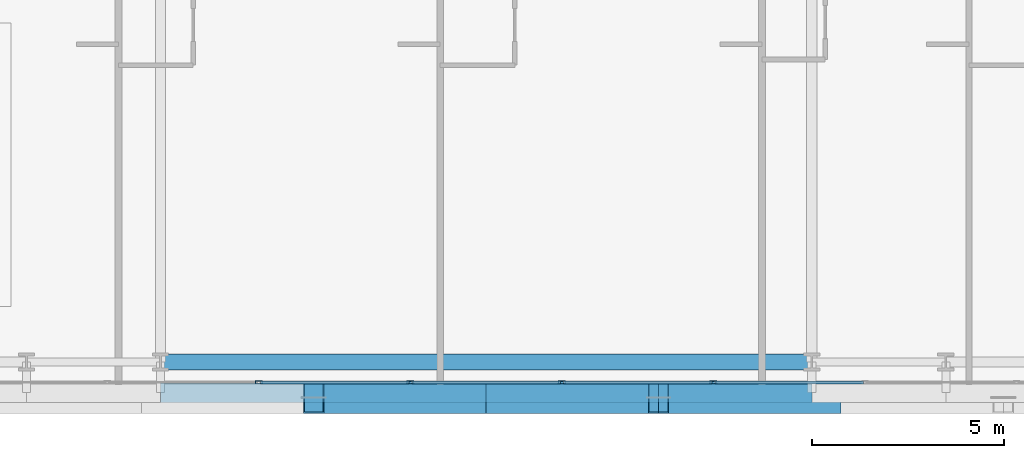
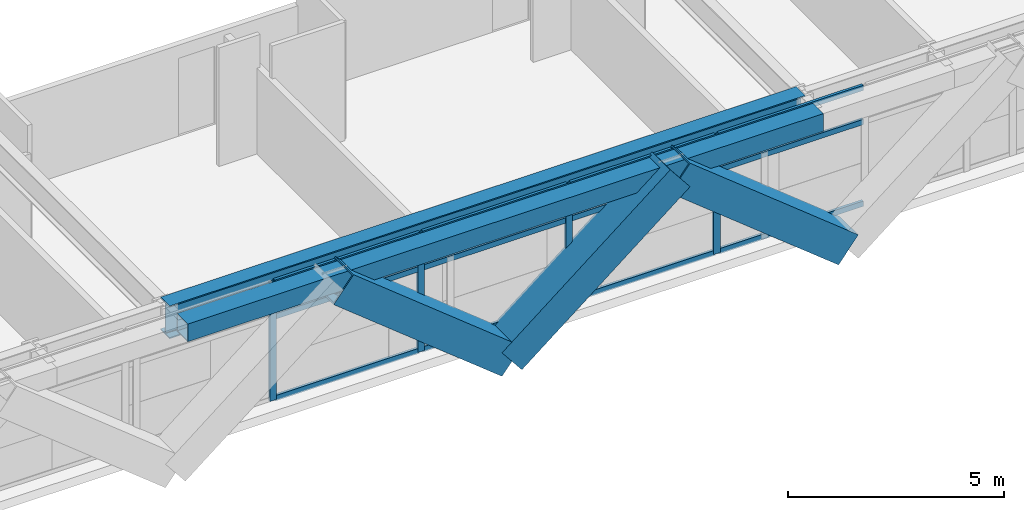
# One storey, part 5 of 35: 19 members, 2 beams, 1 element without a shape of its own.
"""IFC4 building model written with IfcOpenShell, lengths in metres."""

from ifc_helpers import new_model, si_unit, direction, frame, origin, origin_2d, place, context, subcontext, project, spatial, hollow_rectangle, i_section, extrude, source, transform, mapped, material, layer, layer_set, material_profile, profile_set, type_object, element, aggregate, save


model = new_model("IFC4")

# Units and contexts
model_context = context("Model", 3, precision=1e-05, world=origin(), true_north=direction((0.0, 1.0)))
body_context = subcontext(model_context, "Body", "Model", "MODEL_VIEW")
ifc_project = project(units=[si_unit("LENGTHUNIT", "METRE"), si_unit("AREAUNIT", "SQUARE_METRE"), si_unit("VOLUMEUNIT", "CUBIC_METRE"), si_unit("PLANEANGLEUNIT", "RADIAN"), si_unit("MASSUNIT", "GRAM", prefix="KILO")], contexts=[model_context])

# Site, building, storey
site_placement = place(None, origin())
site = spatial("IfcSite", under=ifc_project, at=site_placement, CompositionType="ELEMENT")
building_placement = place(site_placement, origin())
building = spatial("IfcBuilding", under=site, at=building_placement, Name="Ocotamira Hotel", CompositionType="ELEMENT")
storey_placement = place(building_placement, frame((0.0, 0.0, 56.39990234375)))
storey = spatial("IfcBuildingStorey", under=building, at=storey_placement, Name="L13", CompositionType="ELEMENT", Elevation=56.39990234375)

# Beams
ifc_material_1 = material(Name="Steel ASTM A992 Grade 50", Category="steel")
ifc_material_profile_1 = material_profile(ifc_material_1, i_section(OverallWidth=0.41796875, OverallDepth=0.927001953125, WebThickness=0.019287109375, FlangeThickness=0.031982421875, FilletRadius=0.02392578125, at=origin_2d()), Name="W36X231")
ifc_profile_set_1 = profile_set([ifc_material_profile_1], Name="Steel ASTM A992 Grade 50")
beam_type_1 = type_object("IfcBeamType", Name="BM-GIRD-W36X231", PredefinedType="BEAM", material=ifc_profile_set_1)
shared_shape_1 = source(origin(), body_context, "Body", "SweptSolid", [
    extrude(i_section(OverallWidth=0.41796875, OverallDepth=0.927001953125, WebThickness=0.019287109375, FlangeThickness=0.031982421875, FilletRadius=0.02392578125, at=origin_2d()), origin(), (0.0, 0.0, 1.0), 17.0),
])
beam_1_placement = place(storey_placement, frame((23.5, 2.949951171875, 2.88671875), z_axis=(1.0, 0.0, 0.0), x_axis=(0.0, 1.0, 0.0)))
element("IfcBeam", 1, at=beam_1_placement, inside=storey, type_object=beam_type_1, Name="L13 Girder Y2.95 X23.5-40.5", PredefinedType="BEAM", context=body_context, shape_type="MappedRepresentation", body=[
    mapped(shared_shape_1, transform((0.0, 0.0, 0.0), scale=1.0)),
])
ifc_material_2 = material(Name="Steel ASTM A500 Grade C", Category="steel")
ifc_material_profile_2 = material_profile(ifc_material_2, hollow_rectangle(XDim=0.5, YDim=0.5, WallThickness=0.02001953125, at=origin_2d()), Name="HSS500X500X20")
ifc_profile_set_2 = profile_set([ifc_material_profile_2], Name="Steel ASTM A500 Grade C")
beam_type_2 = type_object("IfcBeamType", Name="BM-SPAN-HSS500", PredefinedType="USERDEFINED", material=ifc_profile_set_2)
shared_shape_2 = source(origin(), body_context, "Body", "SweptSolid", [
    extrude(hollow_rectangle(XDim=0.5, YDim=0.5, WallThickness=0.02001953125, at=origin_2d()), origin(), (0.0, 0.0, 1.0), 17.0),
])
beam_2_placement = place(storey_placement, frame((23.5, 2.14990234375, 3.10009765625), z_axis=(1.0, 0.0, 0.0), x_axis=(0.0, 1.0, 0.0)))
element("IfcBeam", 2, at=beam_2_placement, inside=storey, type_object=beam_type_2, Name="L13 Edge Spandrel S X23.5-40.5", ObjectType="SPANDREL", PredefinedType="USERDEFINED", context=body_context, shape_type="MappedRepresentation", body=[
    mapped(shared_shape_2, transform((0.0, 0.0, 0.0), scale=1.0)),
])

# Members
ifc_material_3 = material(Name="Pale-metal coated steel ASTM A913 Grade 65", Category="steel")
ifc_material_profile_3 = material_profile(ifc_material_3, hollow_rectangle(XDim=0.85009765625, YDim=0.85009765625, WallThickness=0.035888671875, at=origin_2d()), Name="BOX850X850X36")
ifc_profile_set_3 = profile_set([ifc_material_profile_3], Name="Pale-metal coated steel ASTM A913 Grade 65")
member_type_1 = type_object("IfcMemberType", Name="MEM-EXO-BOX850", PredefinedType="BRACE", material=ifc_profile_set_3)
shared_shape_3 = source(origin(), body_context, "Body", "SweptSolid", [
    extrude(hollow_rectangle(XDim=0.85009765625, YDim=0.85009765625, WallThickness=0.035888671875, at=origin_2d()), origin(), (0.0, 0.0, 1.0), 5.762939453125),
])
for number, where, z_axis, x_axis, name in (
    (3, (32.0, 2.030029296875, -0.5), (-0.780860543151, 0.0, 0.624705380279), (0.0, -1.0, 0.0), "L13 Exoskeleton Diagrid S1.2"),
    (4, (32.0, 2.030029296875, -0.5), (0.780860543151, 0.0, 0.624705380279), (0.0, 1.0, 0.0), "L13 Exoskeleton Diagrid S2.1"),
    (5, (41.0, 2.030029296875, -0.5), (-0.780860543151, 0.0, 0.624705380279), (0.0, -1.0, 0.0), "L13 Exoskeleton Diagrid S2.2"),
):
    element("IfcMember", number, at=place(storey_placement, frame(where, z_axis=z_axis, x_axis=x_axis)), inside=storey, type_object=member_type_1, Name=name, PredefinedType="BRACE", context=body_context, shape_type="MappedRepresentation", body=[
        mapped(shared_shape_3, transform((0.0, 0.0, 0.0), scale=1.0)),
    ])

# Curtain wall, members
ifc_material_4 = material(Name="Anodised pale-metal aluminium and solar glass", Category="aluminium")
ifc_layer = layer(ifc_material_4, 0.179931640625)
ifc_layer_set = layer_set([ifc_layer], Name="Anodised pale-metal aluminium and solar glass")
curtain_wall_type = type_object("IfcCurtainWallType", Name="CW-SYS2-Z1", PredefinedType="NOTDEFINED", material=ifc_layer_set)
curtain_wall_placement = place(storey_placement, origin())
curtain_wall = element("IfcCurtainWall", 6, at=curtain_wall_placement, inside=storey, type_object=curtain_wall_type, Name="L13 Curtain Wall CW-2 CW-L13-S1", PredefinedType="NOTDEFINED")
ifc_material_5 = material(Name="Anodised pale-metal aluminium 6063-T6", Category="aluminium")
ifc_material_profile_4 = material_profile(ifc_material_5, hollow_rectangle(XDim=0.074951171875, YDim=0.14990234375, WallThickness=0.006103515625, at=origin_2d()), Name="HSS150X75X6")
ifc_profile_set_4 = profile_set([ifc_material_profile_4], Name="Anodised pale-metal aluminium 6063-T6")
member_type_2 = type_object("IfcMemberType", Name="CWT-150X75", PredefinedType="USERDEFINED", material=ifc_profile_set_4)
shared_shape_4 = source(origin(), body_context, "Body", "SweptSolid", [
    extrude(hollow_rectangle(XDim=0.074951171875, YDim=0.14990234375, WallThickness=0.006103515625, at=origin_2d()), origin(), (0.0, 0.0, 1.0), 3.87548828125),
])
member_1_placement = place(storey_placement, frame((26.106689453125, 2.419921875, 0.03759765625), z_axis=(1.0, 0.0, 0.0), x_axis=(0.0, 1.0, 0.0)))
member_1 = element("IfcMember", 7, at=member_1_placement, type_object=member_type_2, Name="CW-2 transom 4.1", ObjectType="TRANSOM", PredefinedType="USERDEFINED", context=body_context, shape_type="MappedRepresentation", body=[
    mapped(shared_shape_4, transform((0.0, 0.0, 0.0), scale=1.0)),
])
member_2_placement = place(storey_placement, frame((26.106689453125, 2.419921875, 2.35009765625), z_axis=(1.0, 0.0, 0.0), x_axis=(0.0, 1.0, 0.0)))
member_2 = element("IfcMember", 8, at=member_2_placement, type_object=member_type_2, Name="CW-2 transom 4.2", ObjectType="TRANSOM", PredefinedType="USERDEFINED", context=body_context, shape_type="MappedRepresentation", body=[
    mapped(shared_shape_4, transform((0.0, 0.0, 0.0), scale=1.0)),
])
member_3_placement = place(storey_placement, frame((26.106689453125, 2.419921875, 3.3125), z_axis=(1.0, 0.0, 0.0), x_axis=(0.0, 1.0, 0.0)))
member_3 = element("IfcMember", 9, at=member_3_placement, type_object=member_type_2, Name="CW-2 transom 4.3", ObjectType="TRANSOM", PredefinedType="USERDEFINED", context=body_context, shape_type="MappedRepresentation", body=[
    mapped(shared_shape_4, transform((0.0, 0.0, 0.0), scale=1.0)),
])
member_4_placement = place(storey_placement, frame((30.062255859375, 2.419921875, 0.03759765625), z_axis=(1.0, 0.0, 0.0), x_axis=(0.0, 1.0, 0.0)))
member_4 = element("IfcMember", 10, at=member_4_placement, type_object=member_type_2, Name="CW-2 transom 5.1", ObjectType="TRANSOM", PredefinedType="USERDEFINED", context=body_context, shape_type="MappedRepresentation", body=[
    mapped(shared_shape_4, transform((0.0, 0.0, 0.0), scale=1.0)),
])
member_5_placement = place(storey_placement, frame((30.062255859375, 2.419921875, 2.35009765625), z_axis=(1.0, 0.0, 0.0), x_axis=(0.0, 1.0, 0.0)))
member_5 = element("IfcMember", 11, at=member_5_placement, type_object=member_type_2, Name="CW-2 transom 5.2", ObjectType="TRANSOM", PredefinedType="USERDEFINED", context=body_context, shape_type="MappedRepresentation", body=[
    mapped(shared_shape_4, transform((0.0, 0.0, 0.0), scale=1.0)),
])
member_6_placement = place(storey_placement, frame((30.062255859375, 2.419921875, 3.3125), z_axis=(1.0, 0.0, 0.0), x_axis=(0.0, 1.0, 0.0)))
member_6 = element("IfcMember", 12, at=member_6_placement, type_object=member_type_2, Name="CW-2 transom 5.3", ObjectType="TRANSOM", PredefinedType="USERDEFINED", context=body_context, shape_type="MappedRepresentation", body=[
    mapped(shared_shape_4, transform((0.0, 0.0, 0.0), scale=1.0)),
])
member_7_placement = place(storey_placement, frame((34.017822265625, 2.419921875, 0.03759765625), z_axis=(1.0, 0.0, 0.0), x_axis=(0.0, 1.0, 0.0)))
member_7 = element("IfcMember", 13, at=member_7_placement, type_object=member_type_2, Name="CW-2 transom 6.1", ObjectType="TRANSOM", PredefinedType="USERDEFINED", context=body_context, shape_type="MappedRepresentation", body=[
    mapped(shared_shape_4, transform((0.0, 0.0, 0.0), scale=1.0)),
])
member_8_placement = place(storey_placement, frame((34.017822265625, 2.419921875, 2.35009765625), z_axis=(1.0, 0.0, 0.0), x_axis=(0.0, 1.0, 0.0)))
member_8 = element("IfcMember", 14, at=member_8_placement, type_object=member_type_2, Name="CW-2 transom 6.2", ObjectType="TRANSOM", PredefinedType="USERDEFINED", context=body_context, shape_type="MappedRepresentation", body=[
    mapped(shared_shape_4, transform((0.0, 0.0, 0.0), scale=1.0)),
])
member_9_placement = place(storey_placement, frame((34.017822265625, 2.419921875, 3.3125), z_axis=(1.0, 0.0, 0.0), x_axis=(0.0, 1.0, 0.0)))
member_9 = element("IfcMember", 15, at=member_9_placement, type_object=member_type_2, Name="CW-2 transom 6.3", ObjectType="TRANSOM", PredefinedType="USERDEFINED", context=body_context, shape_type="MappedRepresentation", body=[
    mapped(shared_shape_4, transform((0.0, 0.0, 0.0), scale=1.0)),
])
member_10_placement = place(storey_placement, frame((37.973388671875, 2.419921875, 0.03759765625), z_axis=(1.0, 0.0, 0.0), x_axis=(0.0, 1.0, 0.0)))
member_10 = element("IfcMember", 16, at=member_10_placement, type_object=member_type_2, Name="CW-2 transom 7.1", ObjectType="TRANSOM", PredefinedType="USERDEFINED", context=body_context, shape_type="MappedRepresentation", body=[
    mapped(shared_shape_4, transform((0.0, 0.0, 0.0), scale=1.0)),
])
member_11_placement = place(storey_placement, frame((37.973388671875, 2.419921875, 2.35009765625), z_axis=(1.0, 0.0, 0.0), x_axis=(0.0, 1.0, 0.0)))
member_11 = element("IfcMember", 17, at=member_11_placement, type_object=member_type_2, Name="CW-2 transom 7.2", ObjectType="TRANSOM", PredefinedType="USERDEFINED", context=body_context, shape_type="MappedRepresentation", body=[
    mapped(shared_shape_4, transform((0.0, 0.0, 0.0), scale=1.0)),
])
member_12_placement = place(storey_placement, frame((37.973388671875, 2.419921875, 3.3125), z_axis=(1.0, 0.0, 0.0), x_axis=(0.0, 1.0, 0.0)))
member_12 = element("IfcMember", 18, at=member_12_placement, type_object=member_type_2, Name="CW-2 transom 7.3", ObjectType="TRANSOM", PredefinedType="USERDEFINED", context=body_context, shape_type="MappedRepresentation", body=[
    mapped(shared_shape_4, transform((0.0, 0.0, 0.0), scale=1.0)),
])
ifc_material_profile_5 = material_profile(ifc_material_5, hollow_rectangle(XDim=0.080078125, YDim=0.179931640625, WallThickness=0.006103515625, at=origin_2d()), Name="HSS180X80X6")
ifc_profile_set_5 = profile_set([ifc_material_profile_5], Name="Anodised pale-metal aluminium 6063-T6")
member_type_3 = type_object("IfcMemberType", Name="CWM-180X75", PredefinedType="MULLION", material=ifc_profile_set_5)
shared_shape_5 = source(origin(), body_context, "Body", "SweptSolid", [
    extrude(hollow_rectangle(XDim=0.080078125, YDim=0.179931640625, WallThickness=0.006103515625, at=origin_2d()), origin(), (0.0, 0.0, 1.0), 3.35009765625),
])
member_13_placement = place(storey_placement, frame((26.066650390625, 2.419921875, 0.0), z_axis=(0.0, 0.0, 1.0), x_axis=(0.0, 1.0, 0.0)))
member_13 = element("IfcMember", 19, at=member_13_placement, type_object=member_type_3, Name="CW-2 mullion 4", PredefinedType="MULLION", context=body_context, shape_type="MappedRepresentation", body=[
    mapped(shared_shape_5, transform((0.0, 0.0, 0.0), scale=1.0)),
])
member_14_placement = place(storey_placement, frame((30.022216796875, 2.419921875, 0.0), z_axis=(0.0, 0.0, 1.0), x_axis=(0.0, 1.0, 0.0)))
member_14 = element("IfcMember", 20, at=member_14_placement, type_object=member_type_3, Name="CW-2 mullion 5", PredefinedType="MULLION", context=body_context, shape_type="MappedRepresentation", body=[
    mapped(shared_shape_5, transform((0.0, 0.0, 0.0), scale=1.0)),
])
member_15_placement = place(storey_placement, frame((33.977783203125, 2.419921875, 0.0), z_axis=(0.0, 0.0, 1.0), x_axis=(0.0, 1.0, 0.0)))
member_15 = element("IfcMember", 21, at=member_15_placement, type_object=member_type_3, Name="CW-2 mullion 6", PredefinedType="MULLION", context=body_context, shape_type="MappedRepresentation", body=[
    mapped(shared_shape_5, transform((0.0, 0.0, 0.0), scale=1.0)),
])
member_16_placement = place(storey_placement, frame((37.933349609375, 2.419921875, 0.0), z_axis=(0.0, 0.0, 1.0), x_axis=(0.0, 1.0, 0.0)))
member_16 = element("IfcMember", 22, at=member_16_placement, type_object=member_type_3, Name="CW-2 mullion 7", PredefinedType="MULLION", context=body_context, shape_type="MappedRepresentation", body=[
    mapped(shared_shape_5, transform((0.0, 0.0, 0.0), scale=1.0)),
])
aggregate(curtain_wall, [member_13, member_14, member_15, member_16, member_1, member_2, member_3, member_4, member_5, member_6, member_7, member_8, member_9, member_10, member_11, member_12])

save(model, "model.ifc")
